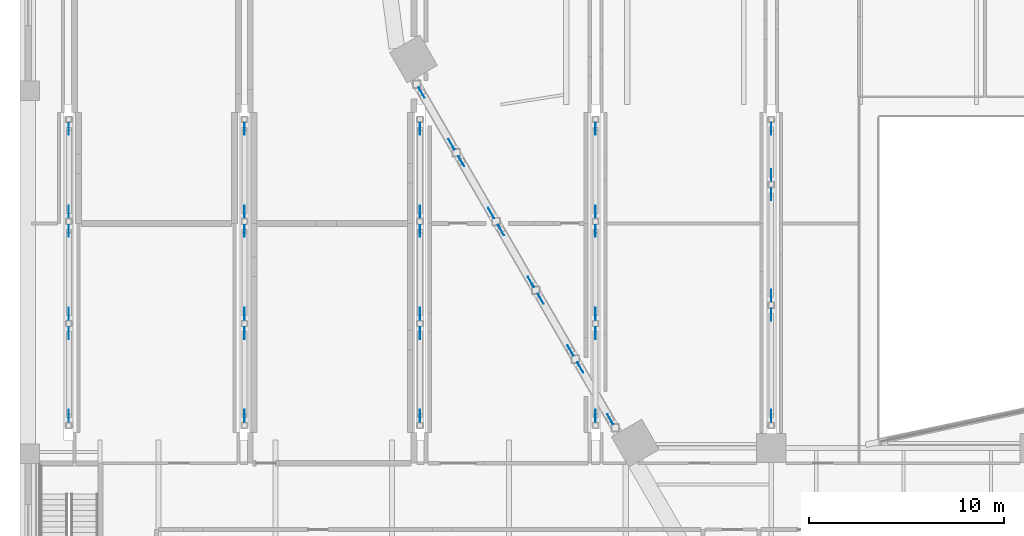
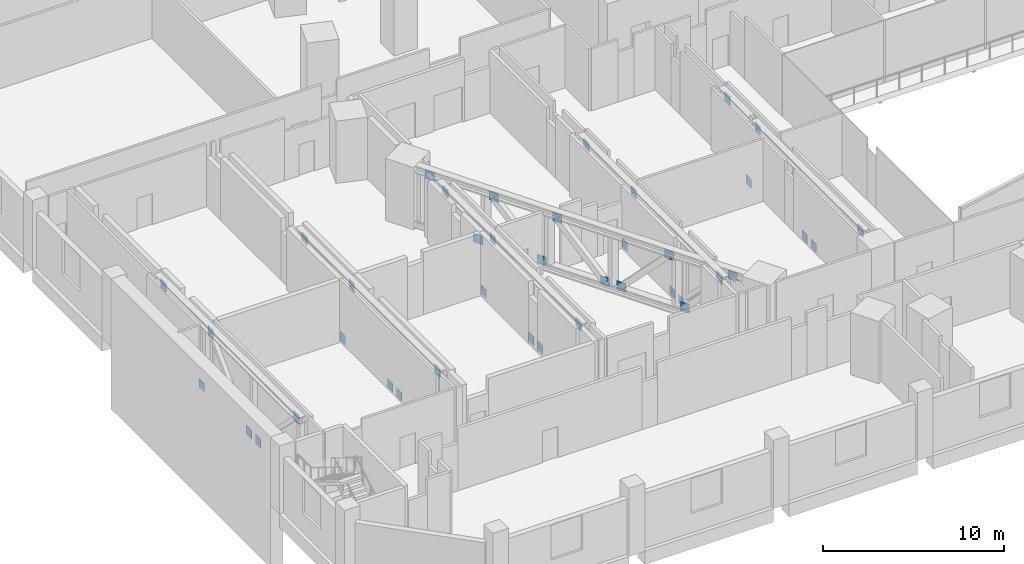
# One storey, part 26 of 32: 40 discrete accessories.
"""IFC4 building model written with IfcOpenShell, lengths in metres."""

import ifcopenshell
import ifcopenshell.guid

model = None  # the IFC model being written
_history = None  # IfcOwnerHistory: only IFC2X3 demands one
_inside = {}  # id of a spatial element -> (the spatial element, [elements in it])
_under = {}  # id of a project, library or spatial element -> (it, [spatial elements below it])
_declared = {}  # id of a project -> (the project, [libraries it declares])
_typed = {}  # id of a type object -> (the type object, [elements of that type])
_made_of = {}  # id of a material, layer set ... -> (it, [elements and type objects made of it])


def new_model(schema):
    """Start an empty IFC model of exactly this schema.

    Asked for "IFC4X3", IfcOpenShell would pick the latest addendum, in which some entities
    have other attributes; the version numbers below select the first issue.
    IFC2X3 requires an IfcOwnerHistory on every rooted entity: one is made here for all.
    """
    global model, _history
    if schema == "IFC4X3":
        model = ifcopenshell.file(schema_version=(4, 3, 0, 0))
    else:
        model = ifcopenshell.file(schema=schema)
    _inside.clear()
    _under.clear()
    _declared.clear()
    _typed.clear()
    _made_of.clear()
    _history = None
    if model.schema == "IFC2X3":
        org = make("IfcOrganization", Name="unknown")
        user = make(
            "IfcPersonAndOrganization",
            ThePerson=make("IfcPerson", FamilyName="unknown"),
            TheOrganization=org,
        )
        app = make(
            "IfcApplication",
            ApplicationDeveloper=org,
            Version="unknown",
            ApplicationFullName="unknown",
            ApplicationIdentifier="unknown",
        )
        _history = make(
            "IfcOwnerHistory",
            OwningUser=user,
            OwningApplication=app,
            ChangeAction="ADDED",
            CreationDate=0,
        )
    return model


def make(cls, **values):
    """One entity of the class cls with the attributes given. An attribute that is None is left unset."""
    return model.create_entity(
        cls, **{name: value for name, value in values.items() if value is not None}
    )


def rooted(cls, **values):
    """An entity with a GlobalId (a new one), such as an element, a storey or a relation."""
    return make(cls, GlobalId=ifcopenshell.guid.new(), OwnerHistory=_history, **values)


def si_unit(unit_type, name, prefix=None):
    """IfcSIUnit, for example si_unit("LENGTHUNIT", "METRE", prefix="MILLI")."""
    return make("IfcSIUnit", UnitType=unit_type, Prefix=prefix, Name=name)


def assignment(units):
    """IfcUnitAssignment: the units of a project."""
    return None if units is None else make("IfcUnitAssignment", Units=units)


def point(xyz):
    """IfcCartesianPoint."""
    return None if xyz is None else make("IfcCartesianPoint", Coordinates=xyz)


def direction(xyz):
    """IfcDirection."""
    return None if xyz is None else make("IfcDirection", DirectionRatios=xyz)


def frame(location, z_axis=None, x_axis=None):
    """IfcAxis2Placement3D, a coordinate frame: its origin and axes. An axis left out is left unset."""
    return make(
        "IfcAxis2Placement3D",
        Location=point(location),
        Axis=direction(z_axis),
        RefDirection=direction(x_axis),
    )


def frame_2d(location, x_axis=None):
    """IfcAxis2Placement2D, a coordinate frame in the plane: its origin and x axis."""
    return make(
        "IfcAxis2Placement2D", Location=point(location), RefDirection=direction(x_axis)
    )


def origin():
    """The frame at (0, 0, 0) with its axes left unset."""
    return frame((0.0, 0.0, 0.0))


def origin_2d():
    """The frame at (0, 0) in the plane with its x axis left unset."""
    return frame_2d((0.0, 0.0))


def place(relative_to, where):
    """IfcLocalPlacement: puts the frame where relative to a parent placement (None: the world)."""
    return make(
        "IfcLocalPlacement", PlacementRelTo=relative_to, RelativePlacement=where
    )


def context(
    kind, dimensions, precision=None, world=None, true_north=None, identifier=None
):
    """IfcGeometricRepresentationContext, for example the 3D "Model" context."""
    return make(
        "IfcGeometricRepresentationContext",
        ContextIdentifier=identifier,
        ContextType=kind,
        CoordinateSpaceDimension=dimensions,
        Precision=precision,
        WorldCoordinateSystem=world,
        TrueNorth=true_north,
    )


def subcontext(parent, identifier, kind, view, scale=None):
    """IfcGeometricRepresentationSubContext, for example "Body" below "Model"."""
    return make(
        "IfcGeometricRepresentationSubContext",
        ContextIdentifier=identifier,
        ContextType=kind,
        ParentContext=parent,
        TargetScale=scale,
        TargetView=view,
    )


def project(units=None, contexts=None):
    """IfcProject with its units and contexts."""
    return rooted(
        "IfcProject",
        Name="project",
        RepresentationContexts=contexts,
        UnitsInContext=assignment(units),
    )


def spatial(cls, under=None, at=None, **own):
    """A site, building, storey or space (cls), placed at a placement, below another one or the project."""
    s = rooted(cls, ObjectPlacement=at, **own)
    if under is not None:
        _under.setdefault(under.id(), (under, []))[1].append(s)
    return s


def profile(cls, at=None, kind="AREA", **sizes):
    """A parametric profile (cls). Its sizes go by their IFC names, for example OverallWidth=200.0."""
    return make(cls, ProfileType=kind, Position=at, **sizes)


def rectangle(**sizes):
    """IfcRectangleProfileDef."""
    return profile("IfcRectangleProfileDef", **sizes)


def extrude(swept, where, along, depth):
    """IfcExtrudedAreaSolid: the profile swept, set in the frame where, extruded along a direction by depth."""
    return make(
        "IfcExtrudedAreaSolid",
        SweptArea=swept,
        Position=where,
        ExtrudedDirection=direction(along),
        Depth=depth,
    )


def shape(context_of_items, identifier, shape_type, items):
    """IfcShapeRepresentation: the items that make up one representation, for example the "Body"."""
    return make(
        "IfcShapeRepresentation",
        ContextOfItems=context_of_items,
        RepresentationIdentifier=identifier,
        RepresentationType=shape_type,
        Items=items,
    )


def material(Name=None, Category=None):
    """IfcMaterial."""
    return make("IfcMaterial", Name=Name, Category=Category)


def made_of(thing, what):
    """Note that an element or type object is made of a material, layer set ...; save() writes the relation."""
    if what is not None:
        _made_of.setdefault(what.id(), (what, []))[1].append(thing)
    return thing


def type_object(cls, material=None, **own):
    """A type object (cls), such as IfcWallType, which elements share."""
    return made_of(rooted(cls, **own), material)


def element(
    cls,
    number,
    at=None,
    inside=None,
    cuts=None,
    type_object=None,
    material=None,
    context=None,
    identifier="Body",
    shape_type=None,
    held_by="IfcProductDefinitionShape",
    body=None,
    shapes=None,
    **own,
):
    """One element of the class cls, such as IfcWall. Its Tag is "e" and its number.

    at: its placement. inside: the storey or other place that contains it. cuts: it is an
    opening in that element (IfcRelVoidsElement). A single representation is given by context,
    identifier, shape_type and body (its items); several are given by shapes. held_by: the class
    of the entity that holds the representations. save() writes the other relations.
    """
    e = rooted(cls, Tag="e%d" % number, ObjectPlacement=at, **own)
    if body is not None:
        shapes = [shape(context, identifier, shape_type, body)]
    if shapes is not None:
        e.Representation = make(held_by, Representations=shapes)
    if inside is not None:
        _inside.setdefault(inside.id(), (inside, []))[1].append(e)
    if cuts is not None:
        rooted(
            "IfcRelVoidsElement", RelatingBuildingElement=cuts, RelatedOpeningElement=e
        )
    if type_object is not None:
        _typed.setdefault(type_object.id(), (type_object, []))[1].append(e)
    return made_of(e, material)


def aggregate(whole, parts):
    """IfcRelAggregates: a whole, such as a stair, and the parts it consists of."""
    return rooted("IfcRelAggregates", RelatingObject=whole, RelatedObjects=parts)


def save(model, path):
    """Write the relations noted so far, then the file.

    IfcRelAggregates (storeys below a building ...), IfcRelContainedInSpatialStructure (elements
    in a storey), IfcRelDefinesByType, IfcRelAssociatesMaterial and IfcRelDeclares: one each for
    every whole, place, type object, material and project.
    """
    for whole, parts in _under.values():
        aggregate(whole, parts)
    for where, things in _inside.values():
        rooted(
            "IfcRelContainedInSpatialStructure",
            RelatedElements=things,
            RelatingStructure=where,
        )
    for kind, things in _typed.values():
        rooted("IfcRelDefinesByType", RelatedObjects=things, RelatingType=kind)
    for what, things in _made_of.values():
        rooted("IfcRelAssociatesMaterial", RelatedObjects=things, RelatingMaterial=what)
    for by, libraries in _declared.values():
        rooted("IfcRelDeclares", RelatingContext=by, RelatedDefinitions=libraries)
    model.write(path)


model = new_model("IFC4")

# Units and contexts
model_context = context("Model", 3, precision=1e-05, world=origin(), true_north=direction((0.0, 1.0)))
body_context = subcontext(model_context, "Body", "Model", "MODEL_VIEW")
ifc_project = project(units=[si_unit("LENGTHUNIT", "METRE"), si_unit("AREAUNIT", "SQUARE_METRE"), si_unit("VOLUMEUNIT", "CUBIC_METRE"), si_unit("PLANEANGLEUNIT", "RADIAN"), si_unit("MASSUNIT", "GRAM", prefix="KILO")], contexts=[model_context])

# Site, building, storey
site_placement = place(None, origin())
site = spatial("IfcSite", under=ifc_project, at=site_placement, CompositionType="ELEMENT")
building_placement = place(site_placement, origin())
building = spatial("IfcBuilding", under=site, at=building_placement, Name="Isthmus Gate Tower", CompositionType="ELEMENT")
storey_placement = place(building_placement, frame((0.0, 0.0, 18.0)))
storey = spatial("IfcBuildingStorey", under=building, at=storey_placement, Name="L02", CompositionType="ELEMENT", Elevation=18.0)

# Discrete accessories
ifc_material = material(Name="Structural steel ASTM A992 Gr 50", Category="steel")
discrete_accessory_type = type_object("IfcDiscreteAccessoryType", Name="GUSSET PLATE 600 X 20", PredefinedType="USERDEFINED", material=ifc_material)
for number, where, z_axis, x_axis, name in (
    (1, (-23.28369140625, -22.87158203125, 0.198486328125), (0.0, 0.0, 1.0), (0.5, -0.866025403784, 0.0), "GUSSET PLATE"),
    (2, (-21.75, -25.52783203125, 3.4013671875), (0.0, 0.0, 1.0), (0.5, -0.866025403784, 0.0), "GUSSET PLATE"),
    (3, (-25.317138671875, -19.349609375, 0.198486328125), (0.0, 0.0, 1.0), (0.5, -0.866025403784, 0.0), "GUSSET PLATE"),
    (4, (-23.78369140625, -22.005615234375, 3.4013671875), (0.0, 0.0, 1.0), (0.5, -0.866025403784, 0.0), "GUSSET PLATE"),
    (5, (-25.817138671875, -18.4833984375, 0.198486328125), (0.0, 0.0, 1.0), (-0.5, 0.866025403784, 0.0), "GUSSET PLATE"),
    (6, (-27.3505859375, -15.827392578125, 3.4013671875), (0.0, 0.0, 1.0), (-0.5, 0.866025403784, 0.0), "GUSSET PLATE"),
    (7, (-27.8505859375, -14.96142578125, 0.198486328125), (0.0, 0.0, 1.0), (-0.5, 0.866025403784, 0.0), "GUSSET PLATE"),
    (8, (-29.384033203125, -12.30517578125, 3.4013671875), (0.0, 0.0, 1.0), (-0.5, 0.866025403784, 0.0), "GUSSET PLATE"),
    (9, (-29.884033203125, -11.439208984375, 0.198486328125), (0.0, 0.0, 1.0), (-0.5, 0.866025403784, 0.0), "GUSSET PLATE"),
    (10, (-31.41748046875, -8.783203125, 3.4013671875), (0.0, 0.0, 1.0), (-0.5, 0.866025403784, 0.0), "GUSSET PLATE"),
    (11, (-49.5, -21.116943359375, -0.699951171875), (0.0, 0.0, 1.0), (0.0, -1.0, 0.0), "GUSSET PLATE"),
    (12, (-49.5, -25.35009765625, 3.45556640625), (0.0, 0.0, 1.0), (0.0, -1.0, 0.0), "GUSSET PLATE"),
    (13, (-49.5, -20.116943359375, -0.699951171875), (0.0, 0.0, 1.0), (0.0, 1.0, 0.0), "GUSSET PLATE"),
    (14, (-49.5, -15.883056640625, 3.45556640625), (0.0, 0.0, 1.0), (0.0, 1.0, 0.0), "GUSSET PLATE"),
    (15, (-49.5, -14.883056640625, -0.699951171875), (0.0, 0.0, 1.0), (0.0, 1.0, 0.0), "GUSSET PLATE"),
    (16, (-49.5, -10.64990234375, 3.45556640625), (0.0, 0.0, 1.0), (0.0, 1.0, 0.0), "GUSSET PLATE"),
    (17, (-40.5, -21.116943359375, -0.699951171875), (0.0, 0.0, 1.0), (0.0, -1.0, 0.0), "GUSSET PLATE"),
    (18, (-40.5, -25.35009765625, 3.45556640625), (0.0, 0.0, 1.0), (0.0, -1.0, 0.0), "GUSSET PLATE"),
    (19, (-40.5, -20.116943359375, -0.699951171875), (0.0, 0.0, 1.0), (0.0, 1.0, 0.0), "GUSSET PLATE"),
    (20, (-40.5, -15.883056640625, 3.45556640625), (0.0, 0.0, 1.0), (0.0, 1.0, 0.0), "GUSSET PLATE"),
    (21, (-40.5, -14.883056640625, -0.699951171875), (0.0, 0.0, 1.0), (0.0, 1.0, 0.0), "GUSSET PLATE"),
    (22, (-40.5, -10.64990234375, 3.45556640625), (0.0, 0.0, 1.0), (0.0, 1.0, 0.0), "GUSSET PLATE"),
    (23, (-31.5, -21.116943359375, -0.699951171875), (0.0, 0.0, 1.0), (0.0, -1.0, 0.0), "GUSSET PLATE"),
    (24, (-31.5, -25.35009765625, 3.45556640625), (0.0, 0.0, 1.0), (0.0, -1.0, 0.0), "GUSSET PLATE"),
    (25, (-31.5, -20.116943359375, -0.699951171875), (0.0, 0.0, 1.0), (0.0, 1.0, 0.0), "GUSSET PLATE"),
    (26, (-31.5, -15.883056640625, 3.45556640625), (0.0, 0.0, 1.0), (0.0, 1.0, 0.0), "GUSSET PLATE"),
    (27, (-31.5, -14.883056640625, -0.699951171875), (0.0, 0.0, 1.0), (0.0, 1.0, 0.0), "GUSSET PLATE"),
    (28, (-31.5, -10.64990234375, 3.45556640625), (0.0, 0.0, 1.0), (0.0, 1.0, 0.0), "GUSSET PLATE"),
    (29, (-22.5, -21.116943359375, -0.699951171875), (0.0, 0.0, 1.0), (0.0, -1.0, 0.0), "GUSSET PLATE"),
    (30, (-22.5, -25.35009765625, 3.45556640625), (0.0, 0.0, 1.0), (0.0, -1.0, 0.0), "GUSSET PLATE"),
    (31, (-22.5, -20.116943359375, -0.699951171875), (0.0, 0.0, 1.0), (0.0, 1.0, 0.0), "GUSSET PLATE"),
    (32, (-22.5, -15.883056640625, 3.45556640625), (0.0, 0.0, 1.0), (0.0, 1.0, 0.0), "GUSSET PLATE"),
    (33, (-22.5, -14.883056640625, -0.699951171875), (0.0, 0.0, 1.0), (0.0, 1.0, 0.0), "GUSSET PLATE"),
    (34, (-22.5, -10.64990234375, 3.45556640625), (0.0, 0.0, 1.0), (0.0, 1.0, 0.0), "GUSSET PLATE"),
    (35, (-13.5, -20.175048828125, -0.699951171875), (0.0, 0.0, 1.0), (0.0, -1.0, 0.0), "GUSSET PLATE"),
    (36, (-13.5, -25.35009765625, 3.45556640625), (0.0, 0.0, 1.0), (0.0, -1.0, 0.0), "GUSSET PLATE"),
    (37, (-13.5, -19.175048828125, -0.699951171875), (0.0, 0.0, 1.0), (0.0, 1.0, 0.0), "GUSSET PLATE"),
    (38, (-13.5, -14.0, 3.45556640625), (0.0, 0.0, 1.0), (0.0, 1.0, 0.0), "GUSSET PLATE"),
    (39, (-13.5, -13.0, -0.699951171875), (0.0, 0.0, 1.0), (0.0, 1.0, 0.0), "GUSSET PLATE"),
    (40, (-13.5, -10.64990234375, 3.45556640625), (0.0, 0.0, 1.0), (0.0, 1.0, 0.0), "GUSSET PLATE"),
):
    element("IfcDiscreteAccessory", number, at=place(storey_placement, frame(where, z_axis=z_axis, x_axis=x_axis)), inside=storey, type_object=discrete_accessory_type, Name=name, ObjectType="GUSSET PLATE", PredefinedType="USERDEFINED", context=body_context, shape_type="SweptSolid", body=[
        extrude(rectangle(XDim=0.60009765625, YDim=0.02001953125, at=origin_2d()), origin(), (0.0, 0.0, 1.0), 0.60009765625),
    ])

save(model, "model.ifc")
